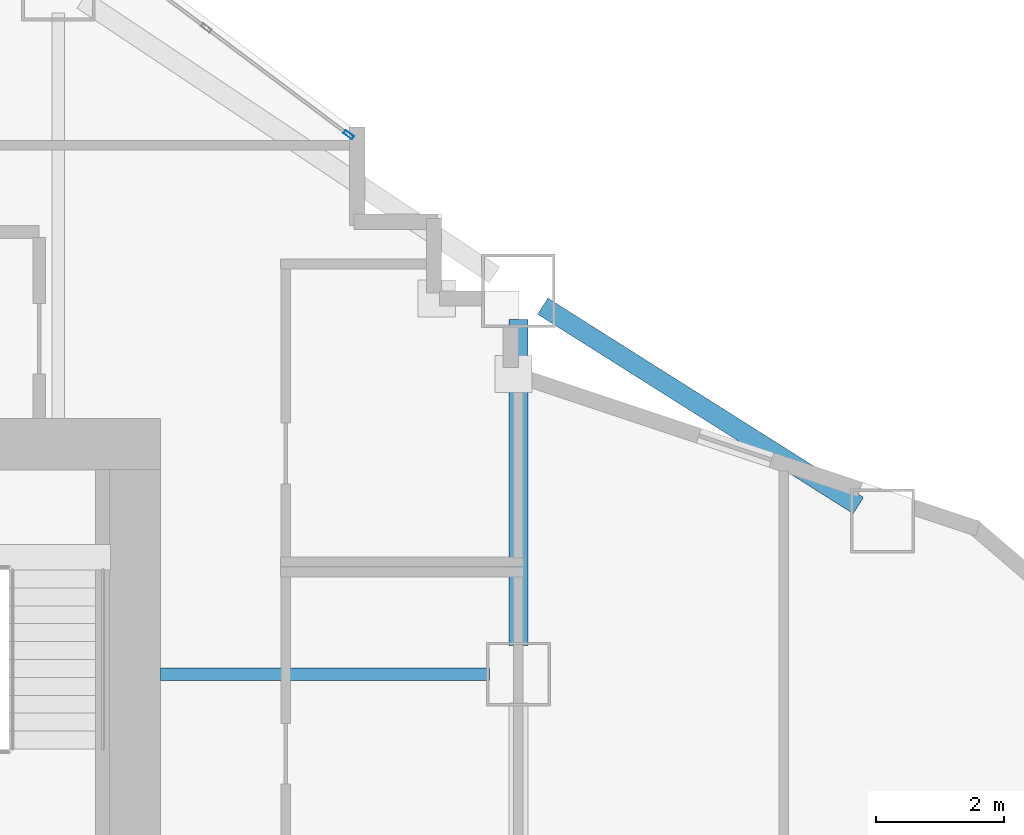
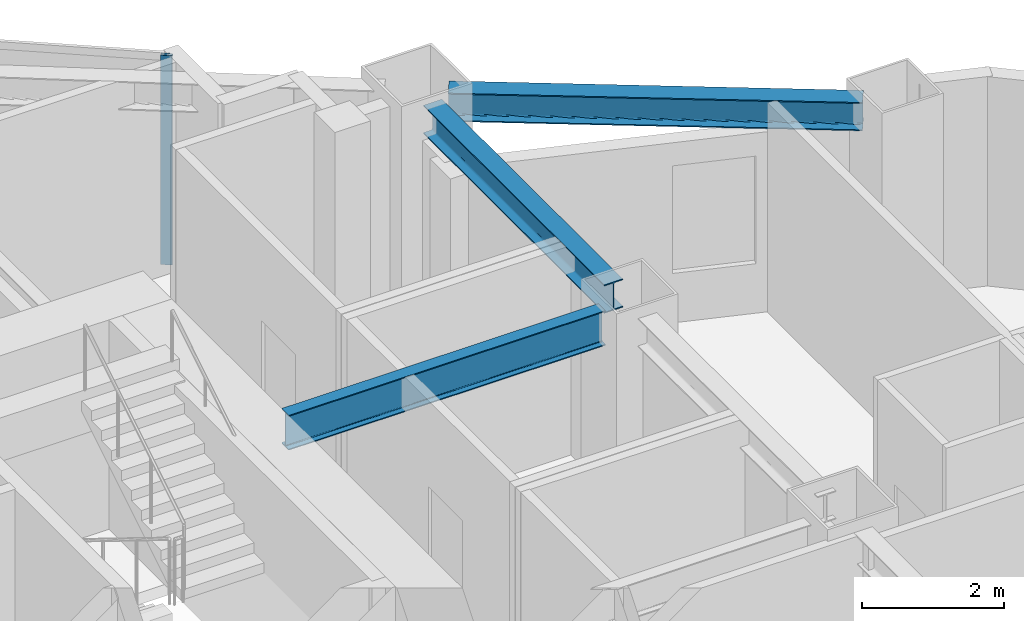
# One storey, part 5 of 17: 3 beams, 1 member, 1 element without a shape of its own.
"""IFC4 building model written with IfcOpenShell, lengths in metres."""

from ifc_helpers import new_model, si_unit, direction, frame, origin, origin_2d, place, context, subcontext, project, spatial, hollow_rectangle, i_section, extrude, material, layer, layer_set, material_profile, profile_set, type_object, element, aggregate, save


model = new_model("IFC4")

# Units and contexts
model_context = context("Model", 3, precision=1e-05, world=origin(), true_north=direction((0.0, 1.0)))
body_context = subcontext(model_context, "Body", "Model", "MODEL_VIEW")
ifc_project = project(units=[si_unit("LENGTHUNIT", "METRE"), si_unit("AREAUNIT", "SQUARE_METRE"), si_unit("VOLUMEUNIT", "CUBIC_METRE"), si_unit("PLANEANGLEUNIT", "RADIAN"), si_unit("MASSUNIT", "GRAM", prefix="KILO")], contexts=[model_context])

# Site, building, storey
site_placement = place(None, origin())
site = spatial("IfcSite", under=ifc_project, at=site_placement, CompositionType="ELEMENT")
building_placement = place(site_placement, origin())
building = spatial("IfcBuilding", under=site, at=building_placement, Name="Haolan Belvedere Tower", CompositionType="ELEMENT")
storey_placement = place(building_placement, frame((0.0, 0.0, 81.800048828125)))
storey = spatial("IfcBuildingStorey", under=building, at=storey_placement, Name="L20", CompositionType="ELEMENT", Elevation=81.800048828125)

# Beams
ifc_material_1 = material(Name="Steel Q355B", Category="steel")
ifc_material_profile_1 = material_profile(ifc_material_1, i_section(OverallWidth=0.300048828125, OverallDepth=0.488037109375, WebThickness=0.010986328125, FlangeThickness=0.01806640625, FilletRadius=0.02587890625, at=origin_2d()), Name="Steel Q355B")
ifc_profile_set_1 = profile_set([ifc_material_profile_1], Name="Steel Q355B")
beam_type_1 = type_object("IfcBeamType", Name="BM-HM488x300x11x18", PredefinedType="SPANDREL", material=ifc_profile_set_1)
beam_1_placement = place(storey_placement, frame((52.800048828125, 40.050048828125, 3.35595703125), z_axis=(0.0, 1.0, 0.0), x_axis=(-1.0, 0.0, 0.0)))
element("IfcBeam", 1, at=beam_1_placement, inside=storey, type_object=beam_type_1, Name="L20 spandrel girder TC-T3-E2-MC-T3-NE", PredefinedType="SPANDREL", context=body_context, shape_type="SweptSolid", body=[
    extrude(i_section(OverallWidth=0.300048828125, OverallDepth=0.488037109375, WebThickness=0.010986328125, FlangeThickness=0.01806640625, FilletRadius=0.02587890625, at=origin_2d()), origin(), (0.0, 0.0, 1.0), 5.099853515625),
])
beam_2_placement = place(storey_placement, frame((53.180419921875, 45.359619140625, 3.35595703125), z_axis=(0.845497840649, -0.533978839898, 0.0), x_axis=(0.533978839898, 0.845497840649, 0.0)))
element("IfcBeam", 2, at=beam_2_placement, inside=storey, type_object=beam_type_1, Name="L20 spandrel girder MC-T3-NE-TC-T4-N1", PredefinedType="SPANDREL", context=body_context, shape_type="SweptSolid", body=[
    extrude(i_section(OverallWidth=0.300048828125, OverallDepth=0.488037109375, WebThickness=0.010986328125, FlangeThickness=0.01806640625, FilletRadius=0.02587890625, at=origin_2d()), origin(), (0.0, 0.0, 1.0), 5.841796875),
])
ifc_material_profile_2 = material_profile(ifc_material_1, i_section(OverallWidth=0.199951171875, OverallDepth=0.60009765625, WebThickness=0.010986328125, FlangeThickness=0.01708984375, FilletRadius=0.02197265625, at=origin_2d()), Name="Steel Q355B")
ifc_profile_set_2 = profile_set([ifc_material_profile_2], Name="Steel Q355B")
beam_type_2 = type_object("IfcBeamType", Name="BM-HN600x200x11x17", PredefinedType="BEAM", material=ifc_profile_set_2)
beam_3_placement = place(storey_placement, frame((52.35009765625, 39.60009765625, 3.300048828125), z_axis=(-1.0, 0.0, 0.0), x_axis=(0.0, -1.0, 0.0)))
element("IfcBeam", 3, at=beam_3_placement, inside=storey, type_object=beam_type_2, Name="L20 core tie beam from TC-T3-E2", PredefinedType="BEAM", context=body_context, shape_type="SweptSolid", body=[
    extrude(i_section(OverallWidth=0.199951171875, OverallDepth=0.60009765625, WebThickness=0.010986328125, FlangeThickness=0.01708984375, FilletRadius=0.02197265625, at=origin_2d()), origin(), (0.0, 0.0, 1.0), 5.150146484375),
])

# Curtain wall, member
ifc_material_2 = material(Name="Anodised champagne-silver aluminium 6063-T6 and Low-E glass", Category="aluminium")
ifc_layer = layer(ifc_material_2, 0.1650390625, Name="Anodised champagne-silver aluminium 6063-T6 and Low-E glass")
ifc_layer_set = layer_set([ifc_layer], Name="Anodised champagne-silver aluminium 6063-T6 and Low-E glass")
curtain_wall_type = type_object("IfcCurtainWallType", Name="CW-SYS-02", PredefinedType="NOTDEFINED", material=ifc_layer_set)
curtain_wall_placement = place(storey_placement, origin())
curtain_wall = element("IfcCurtainWall", 4, at=curtain_wall_placement, inside=storey, type_object=curtain_wall_type, Name="L20 CW-SYS-02 ribbon curtain wall 41.1", PredefinedType="NOTDEFINED")
ifc_material_3 = material(Name="Anodised aluminium 6063-T6", Category="aluminium")
ifc_material_profile_3 = material_profile(ifc_material_3, hollow_rectangle(XDim=0.06005859375, YDim=0.1650390625, WallThickness=0.00390625, at=origin_2d()), Name="Anodised aluminium 6063-T6")
ifc_profile_set_3 = profile_set([ifc_material_profile_3], Name="Anodised aluminium 6063-T6")
member_type = type_object("IfcMemberType", Name="CW-SYS-02-MUL", PredefinedType="MULLION", material=ifc_profile_set_3)
member_placement = place(storey_placement, frame((50.14404296875, 48.0419921875, 0.0), z_axis=(0.0, 0.0, 1.0), x_axis=(-0.599994316874, -0.800004262313, 0.0)))
member = element("IfcMember", 5, at=member_placement, type_object=member_type, Name="CW-02 mullion 1", PredefinedType="MULLION", context=body_context, shape_type="SweptSolid", body=[
    extrude(hollow_rectangle(XDim=0.06005859375, YDim=0.1650390625, WallThickness=0.00390625, at=origin_2d()), origin(), (0.0, 0.0, 1.0), 3.599853515625),
])
aggregate(curtain_wall, [member])

save(model, "model.ifc")
